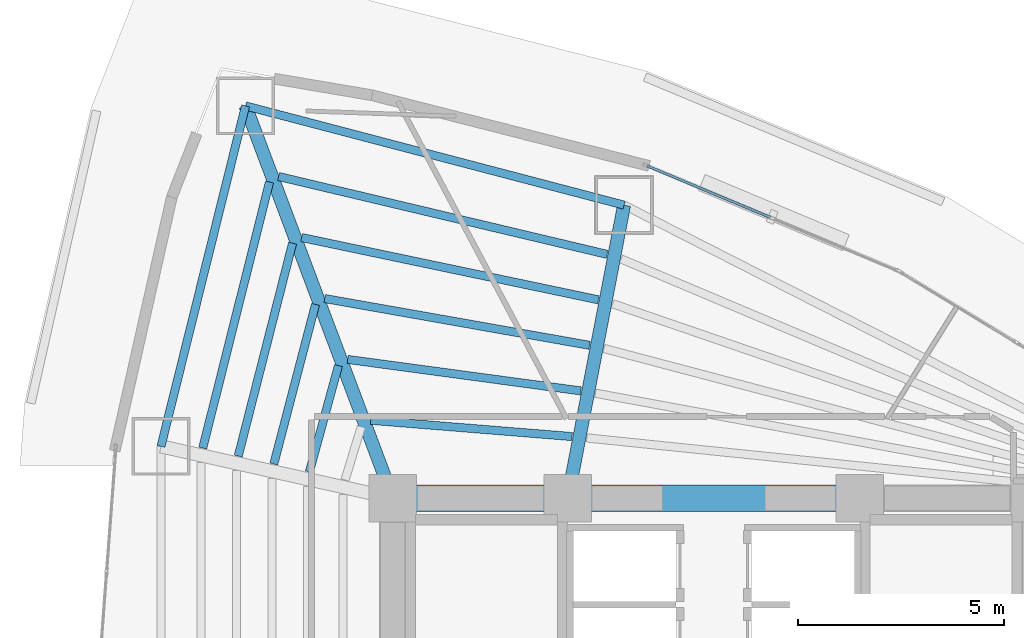
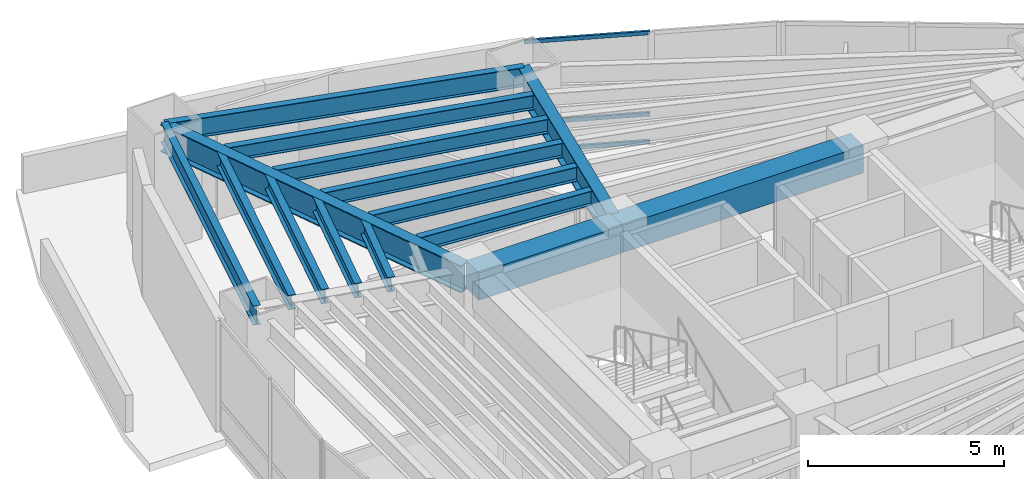
# One storey, part 8 of 17: 15 beams, 3 members, 1 element without a shape of its own.
"""IFC4 building model written with IfcOpenShell, lengths in metres."""

from ifc_helpers import new_model, si_unit, direction, frame, origin, origin_2d, place, context, subcontext, project, spatial, rectangle, hollow_rectangle, i_section, extrude, material, layer, layer_set, material_profile, profile_set, type_object, element, aggregate, save


model = new_model("IFC4")

# Units and contexts
model_context = context("Model", 3, precision=1e-05, world=origin(), true_north=direction((0.0, 1.0)))
body_context = subcontext(model_context, "Body", "Model", "MODEL_VIEW")
ifc_project = project(units=[si_unit("LENGTHUNIT", "METRE"), si_unit("AREAUNIT", "SQUARE_METRE"), si_unit("VOLUMEUNIT", "CUBIC_METRE"), si_unit("PLANEANGLEUNIT", "RADIAN"), si_unit("MASSUNIT", "GRAM", prefix="KILO")], contexts=[model_context])

# Site, building, storey
site_placement = place(None, origin())
site = spatial("IfcSite", under=ifc_project, at=site_placement, CompositionType="ELEMENT")
building_placement = place(site_placement, origin())
building = spatial("IfcBuilding", under=site, at=building_placement, Name="Menara Vayukalpa", CompositionType="ELEMENT")
storey_placement = place(building_placement, frame((0.0, 0.0, 27.60009765625)))
storey = spatial("IfcBuildingStorey", under=building, at=storey_placement, Name="L05", CompositionType="ELEMENT", Elevation=27.60009765625)

# Beams
ifc_material_1 = material(Name="Concrete C60/75", Category="concrete")
ifc_material_profile_1 = material_profile(ifc_material_1, rectangle(XDim=0.64990234375, YDim=0.85009765625, at=origin_2d()), Name="RC 650x850")
ifc_profile_set_1 = profile_set([ifc_material_profile_1], Name="Concrete C60/75")
beam_type_1 = type_object("IfcBeamType", Name="BM-CB1", PredefinedType="BEAM", material=ifc_profile_set_1)
beam_1_placement = place(storey_placement, frame((17.800048828125, 26.800048828125, 3.044921875), z_axis=(1.0, 0.0, 0.0), x_axis=(0.0, 1.0, 0.0)))
element("IfcBeam", 1, at=beam_1_placement, inside=storey, type_object=beam_type_1, Name="L05 Core Tie Beam CBR4", PredefinedType="BEAM", context=body_context, shape_type="SweptSolid", body=[
    extrude(rectangle(XDim=0.64990234375, YDim=0.85009765625, at=origin_2d()), origin(), (0.0, 0.0, 1.0), 4.25),
])
beam_2_placement = place(storey_placement, frame((22.050048828125, 26.800048828125, 3.044921875), z_axis=(1.0, 0.0, 0.0), x_axis=(0.0, 1.0, 0.0)))
element("IfcBeam", 2, at=beam_2_placement, inside=storey, type_object=beam_type_1, Name="L05 Core Tie Beam CBR5", PredefinedType="BEAM", context=body_context, shape_type="SweptSolid", body=[
    extrude(rectangle(XDim=0.64990234375, YDim=0.85009765625, at=origin_2d()), origin(), (0.0, 0.0, 1.0), 7.099853515625),
])
ifc_material_2 = material(Name="Steel S355", Category="steel")
ifc_material_profile_2 = material_profile(ifc_material_2, i_section(OverallWidth=0.320068359375, OverallDepth=0.85009765625, WebThickness=0.01611328125, FlangeThickness=0.030029296875, at=origin_2d()), Name="WF 850x320x16x30")
ifc_profile_set_2 = profile_set([ifc_material_profile_2], Name="Steel S355")
beam_type_2 = type_object("IfcBeamType", Name="BM-PG2", PredefinedType="BEAM", material=ifc_profile_set_2)
beam_3_placement = place(storey_placement, frame((22.09716796875, 27.04541015625, 3.044921875), z_axis=(0.188803432672, 0.982014899995, 0.0), x_axis=(-0.982014899995, 0.188803432672, 0.0)))
element("IfcBeam", 3, at=beam_3_placement, inside=storey, type_object=beam_type_2, Name="L05 Primary Radial Girder RG03", PredefinedType="BEAM", context=body_context, shape_type="SweptSolid", body=[
    extrude(i_section(OverallWidth=0.320068359375, OverallDepth=0.85009765625, WebThickness=0.01611328125, FlangeThickness=0.030029296875, at=origin_2d()), origin(), (0.0, 0.0, 1.0), 7.00341796875),
])
beam_4_placement = place(storey_placement, frame((17.712158203125, 27.033935546875, 3.044921875), z_axis=(-0.351734656537, 0.93609974436, 0.0), x_axis=(-0.93609974436, -0.351734656537, 0.0)))
element("IfcBeam", 4, at=beam_4_placement, inside=storey, type_object=beam_type_2, Name="L05 Primary Radial Girder RG04", PredefinedType="BEAM", context=body_context, shape_type="SweptSolid", body=[
    extrude(i_section(OverallWidth=0.320068359375, OverallDepth=0.85009765625, WebThickness=0.01611328125, FlangeThickness=0.030029296875, at=origin_2d()), origin(), (0.0, 0.0, 1.0), 9.935302734375),
])
ifc_material_3 = material(Name="Steel S355", Category="steel")
ifc_material_profile_3 = material_profile(ifc_material_3, i_section(OverallWidth=0.199951171875, OverallDepth=0.449951171875, WebThickness=0.009033203125, FlangeThickness=0.013916015625, at=origin_2d()), Name="WF 450x200x9x14")
ifc_profile_set_3 = profile_set([ifc_material_profile_3], Name="Steel S355")
beam_type_3 = type_object("IfcBeamType", Name="BM-SJ1", PredefinedType="JOIST", material=ifc_profile_set_3)
beam_5_placement = place(storey_placement, frame((22.15576171875, 28.2978515625, 3.244873046875), z_axis=(-0.996745483939, 0.08061290373, 0.0), x_axis=(-0.08061290373, -0.996745483939, 0.0)))
element("IfcBeam", 5, at=beam_5_placement, inside=storey, type_object=beam_type_3, Name="L05 Secondary Floor Joist SJ03-1", PredefinedType="JOIST", context=body_context, shape_type="SweptSolid", body=[
    extrude(i_section(OverallWidth=0.199951171875, OverallDepth=0.449951171875, WebThickness=0.009033203125, FlangeThickness=0.013916015625, at=origin_2d()), origin(), (0.0, 0.0, 1.0), 4.9091796875),
])
beam_6_placement = place(storey_placement, frame((22.368408203125, 29.40771484375, 3.244873046875), z_axis=(-0.991021966654, 0.13369914588, 0.0), x_axis=(-0.13369914588, -0.991021966654, 0.0)))
element("IfcBeam", 6, at=beam_6_placement, inside=storey, type_object=beam_type_3, Name="L05 Secondary Floor Joist SJ03-2", PredefinedType="JOIST", context=body_context, shape_type="SweptSolid", body=[
    extrude(i_section(OverallWidth=0.199951171875, OverallDepth=0.449951171875, WebThickness=0.009033203125, FlangeThickness=0.013916015625, at=origin_2d()), origin(), (0.0, 0.0, 1.0), 5.71728515625),
])
beam_7_placement = place(storey_placement, frame((22.5810546875, 30.515380859375, 3.244873046875), z_axis=(-0.984753096925, 0.173957862993, 0.0), x_axis=(-0.173957862993, -0.984753096925, 0.0)))
element("IfcBeam", 7, at=beam_7_placement, inside=storey, type_object=beam_type_3, Name="L05 Secondary Floor Joist SJ03-3", PredefinedType="JOIST", context=body_context, shape_type="SweptSolid", body=[
    extrude(i_section(OverallWidth=0.199951171875, OverallDepth=0.449951171875, WebThickness=0.009033203125, FlangeThickness=0.013916015625, at=origin_2d()), origin(), (0.0, 0.0, 1.0), 6.53857421875),
])
beam_8_placement = place(storey_placement, frame((22.793701171875, 31.62158203125, 3.244873046875), z_axis=(-0.978676146728, 0.205409346977, 0.0), x_axis=(-0.205409346977, -0.978676146728, 0.0)))
element("IfcBeam", 8, at=beam_8_placement, inside=storey, type_object=beam_type_3, Name="L05 Secondary Floor Joist SJ03-4", PredefinedType="JOIST", context=body_context, shape_type="SweptSolid", body=[
    extrude(i_section(OverallWidth=0.199951171875, OverallDepth=0.449951171875, WebThickness=0.009033203125, FlangeThickness=0.013916015625, at=origin_2d()), origin(), (0.0, 0.0, 1.0), 7.369140625),
])
beam_9_placement = place(storey_placement, frame((23.00634765625, 32.726318359375, 3.244873046875), z_axis=(-0.97303971213, 0.23063763487, 0.0), x_axis=(-0.23063763487, -0.97303971213, 0.0)))
element("IfcBeam", 9, at=beam_9_placement, inside=storey, type_object=beam_type_3, Name="L05 Secondary Floor Joist SJ03-5", PredefinedType="JOIST", context=body_context, shape_type="SweptSolid", body=[
    extrude(i_section(OverallWidth=0.199951171875, OverallDepth=0.449951171875, WebThickness=0.009033203125, FlangeThickness=0.013916015625, at=origin_2d()), origin(), (0.0, 0.0, 1.0), 8.205810546875),
])
beam_10_placement = place(storey_placement, frame((16.4765625, 30.0224609375, 3.244873046875), z_axis=(-0.263618546233, -0.964627006714, 0.0), x_axis=(0.964627006714, -0.263618546233, 0.0)))
element("IfcBeam", 10, at=beam_10_placement, inside=storey, type_object=beam_type_3, Name="L05 Secondary Floor Joist SJ04-2", PredefinedType="JOIST", context=body_context, shape_type="SweptSolid", body=[
    extrude(i_section(OverallWidth=0.199951171875, OverallDepth=0.449951171875, WebThickness=0.009033203125, FlangeThickness=0.013916015625, at=origin_2d()), origin(), (0.0, 0.0, 1.0), 2.67919921875),
])
beam_11_placement = place(storey_placement, frame((15.919189453125, 31.510009765625, 3.244873046875), z_axis=(-0.25283833468, -0.967508540798, 0.0), x_axis=(0.967508540798, -0.25283833468, 0.0)))
element("IfcBeam", 11, at=beam_11_placement, inside=storey, type_object=beam_type_3, Name="L05 Secondary Floor Joist SJ04-3", PredefinedType="JOIST", context=body_context, shape_type="SweptSolid", body=[
    extrude(i_section(OverallWidth=0.199951171875, OverallDepth=0.449951171875, WebThickness=0.009033203125, FlangeThickness=0.013916015625, at=origin_2d()), origin(), (0.0, 0.0, 1.0), 4.00927734375),
])
beam_12_placement = place(storey_placement, frame((15.361328125, 32.997802734375, 3.244873046875), z_axis=(-0.247105572938, -0.968988563309, 0.0), x_axis=(0.968988563309, -0.247105572938, 0.0)))
element("IfcBeam", 12, at=beam_12_placement, inside=storey, type_object=beam_type_3, Name="L05 Secondary Floor Joist SJ04-4", PredefinedType="JOIST", context=body_context, shape_type="SweptSolid", body=[
    extrude(i_section(OverallWidth=0.199951171875, OverallDepth=0.449951171875, WebThickness=0.009033203125, FlangeThickness=0.013916015625, at=origin_2d()), origin(), (0.0, 0.0, 1.0), 5.339111328125),
])
beam_13_placement = place(storey_placement, frame((14.802734375, 34.485595703125, 3.244873046875), z_axis=(-0.243517460774, -0.96989651319, 0.0), x_axis=(0.96989651319, -0.243517460774, 0.0)))
element("IfcBeam", 13, at=beam_13_placement, inside=storey, type_object=beam_type_3, Name="L05 Secondary Floor Joist SJ04-5", PredefinedType="JOIST", context=body_context, shape_type="SweptSolid", body=[
    extrude(i_section(OverallWidth=0.199951171875, OverallDepth=0.449951171875, WebThickness=0.009033203125, FlangeThickness=0.013916015625, at=origin_2d()), origin(), (0.0, 0.0, 1.0), 6.6689453125),
])
ifc_material_4 = material(Name="Steel S355", Category="steel")
ifc_material_profile_4 = material_profile(ifc_material_4, i_section(OverallWidth=0.199951171875, OverallDepth=0.60009765625, WebThickness=0.010986328125, FlangeThickness=0.01708984375, at=origin_2d()), Name="WF 600x200x11x17")
ifc_profile_set_4 = profile_set([ifc_material_profile_4], Name="Steel S355")
beam_type_4 = type_object("IfcBeamType", Name="BM-SP1", PredefinedType="SPANDREL", material=ifc_profile_set_4)
beam_14_placement = place(storey_placement, frame((23.41943359375, 33.9228515625, 3.169921875), z_axis=(-0.967331024421, 0.253516644802, 0.0), x_axis=(-0.253516644802, -0.967331024421, 0.0)))
element("IfcBeam", 14, at=beam_14_placement, inside=storey, type_object=beam_type_4, Name="L05 Perimeter Spandrel Beam SP03", PredefinedType="SPANDREL", context=body_context, shape_type="SweptSolid", body=[
    extrude(i_section(OverallWidth=0.199951171875, OverallDepth=0.60009765625, WebThickness=0.010986328125, FlangeThickness=0.01708984375, at=origin_2d()), origin(), (0.0, 0.0, 1.0), 9.5126953125),
])
beam_15_placement = place(storey_placement, frame((14.217529296875, 36.33447265625, 3.169921875), z_axis=(-0.240823860364, -0.970568837476, 0.0), x_axis=(0.970568837476, -0.240823860364, 0.0)))
element("IfcBeam", 15, at=beam_15_placement, inside=storey, type_object=beam_type_4, Name="L05 Perimeter Spandrel Beam SP04", PredefinedType="SPANDREL", context=body_context, shape_type="SweptSolid", body=[
    extrude(i_section(OverallWidth=0.199951171875, OverallDepth=0.60009765625, WebThickness=0.010986328125, FlangeThickness=0.01708984375, at=origin_2d()), origin(), (0.0, 0.0, 1.0), 8.52587890625),
])

# Curtain wall, members
ifc_material_5 = material(Name="Anodised Terracotta Aluminium Alloy 6063-T6", Category="masonry")
ifc_layer = layer(ifc_material_5, 0.1650390625)
ifc_layer_set = layer_set([ifc_layer], Name="Anodised Terracotta Aluminium Alloy 6063-T6")
curtain_wall_type = type_object("IfcCurtainWallType", Name="CW-CW2", PredefinedType="USERDEFINED", material=ifc_layer_set)
curtain_wall_placement = place(storey_placement, origin())
curtain_wall = element("IfcCurtainWall", 16, at=curtain_wall_placement, inside=storey, type_object=curtain_wall_type, Name="L05 Low Rise Terracotta Ribbon Curtain Wall CW2 05", ObjectType="UNITISED", PredefinedType="USERDEFINED")
ifc_material_6 = material(Name="Anodised Terracotta Aluminium Alloy 6063-T6", Category="masonry")
ifc_material_profile_5 = material_profile(ifc_material_6, hollow_rectangle(XDim=0.06494140625, YDim=0.1201171875, WallThickness=0.00341796875, at=origin_2d()), Name="ALU 65x120x3.5")
ifc_profile_set_5 = profile_set([ifc_material_profile_5], Name="Anodised Terracotta Aluminium Alloy 6063-T6")
member_type = type_object("IfcMemberType", Name="CWT-CW2", PredefinedType="USERDEFINED", material=ifc_profile_set_5)
member_1_placement = place(storey_placement, frame((26.974609375, 33.624755859375, 0.032470703125), z_axis=(-0.922552588381, 0.385871379699, 0.0), x_axis=(-0.385871379699, -0.922552588381, 0.0)))
member_1 = element("IfcMember", 17, at=member_1_placement, type_object=member_type, Name="CW2 transom 2.1", ObjectType="TRANSOM", PredefinedType="USERDEFINED", context=body_context, shape_type="SweptSolid", body=[
    extrude(hollow_rectangle(XDim=0.06494140625, YDim=0.1201171875, WallThickness=0.00341796875, at=origin_2d()), origin(), (0.0, 0.0, 1.0), 3.24267578125),
])
member_2_placement = place(storey_placement, frame((26.974609375, 33.624755859375, 0.89990234375), z_axis=(-0.922552588381, 0.385871379699, 0.0), x_axis=(-0.385871379699, -0.922552588381, 0.0)))
member_2 = element("IfcMember", 18, at=member_2_placement, type_object=member_type, Name="CW2 transom 2.2", ObjectType="TRANSOM", PredefinedType="USERDEFINED", context=body_context, shape_type="SweptSolid", body=[
    extrude(hollow_rectangle(XDim=0.06494140625, YDim=0.1201171875, WallThickness=0.00341796875, at=origin_2d()), origin(), (0.0, 0.0, 1.0), 3.24267578125),
])
member_3_placement = place(storey_placement, frame((26.974609375, 33.624755859375, 3.4375), z_axis=(-0.922552588381, 0.385871379699, 0.0), x_axis=(-0.385871379699, -0.922552588381, 0.0)))
member_3 = element("IfcMember", 19, at=member_3_placement, type_object=member_type, Name="CW2 transom 2.3", ObjectType="TRANSOM", PredefinedType="USERDEFINED", context=body_context, shape_type="SweptSolid", body=[
    extrude(hollow_rectangle(XDim=0.06494140625, YDim=0.1201171875, WallThickness=0.00341796875, at=origin_2d()), origin(), (0.0, 0.0, 1.0), 3.24267578125),
])
aggregate(curtain_wall, [member_1, member_2, member_3])

save(model, "model.ifc")
